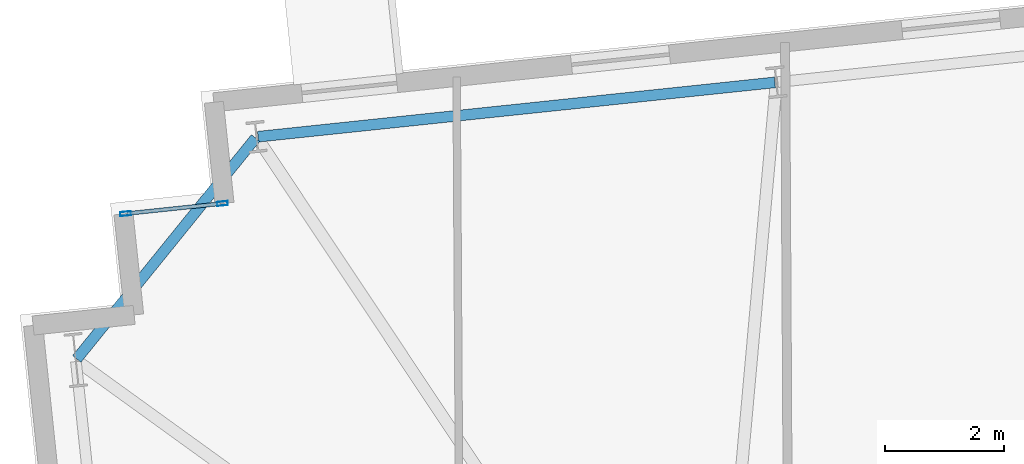
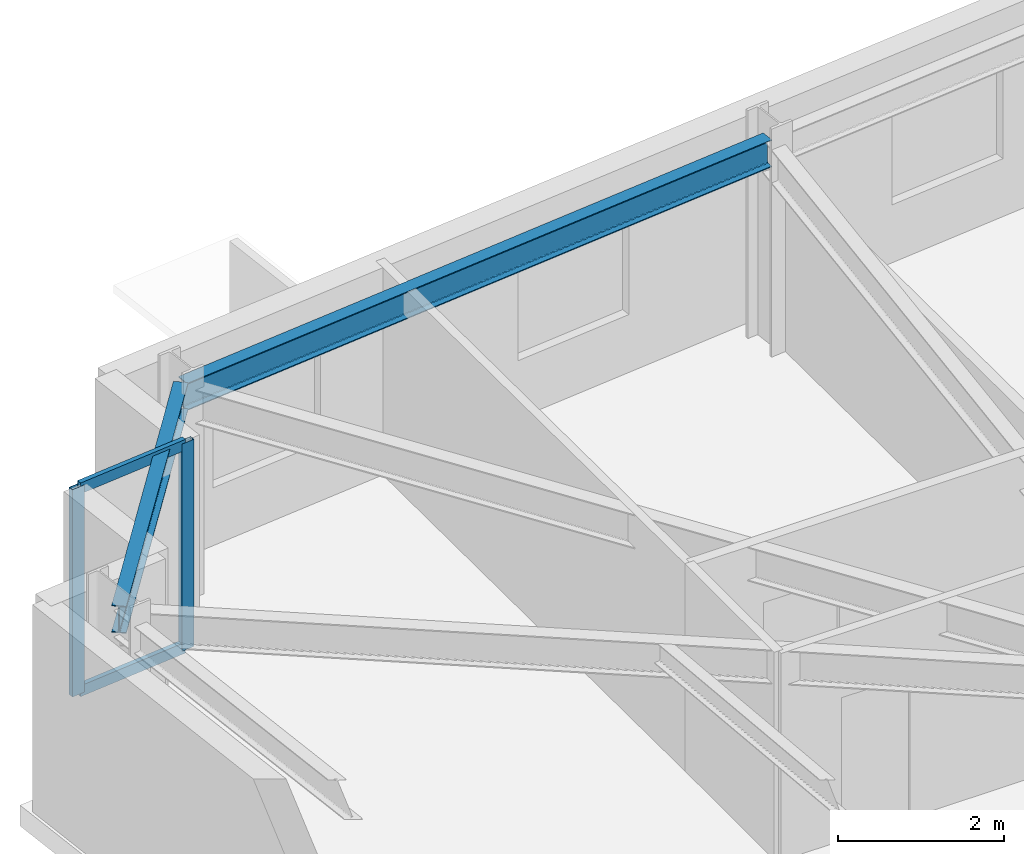
# One storey, part 8 of 17: 4 members, 2 beams, 1 element without a shape of its own.
"""IFC4 building model written with IfcOpenShell, lengths in metres."""

from ifc_helpers import new_model, si_unit, direction, frame, origin, origin_2d, place, context, subcontext, project, spatial, hollow_rectangle, i_section, extrude, material, layer, layer_set, material_profile, profile_set, type_object, element, aggregate, save


model = new_model("IFC4")

# Units and contexts
model_context = context("Model", 3, precision=1e-05, world=origin(), true_north=direction((0.0, 1.0)))
body_context = subcontext(model_context, "Body", "Model", "MODEL_VIEW")
ifc_project = project(units=[si_unit("LENGTHUNIT", "METRE"), si_unit("AREAUNIT", "SQUARE_METRE"), si_unit("VOLUMEUNIT", "CUBIC_METRE"), si_unit("PLANEANGLEUNIT", "RADIAN"), si_unit("MASSUNIT", "GRAM", prefix="KILO")], contexts=[model_context])

# Site, building, storey
site_placement = place(None, origin())
site = spatial("IfcSite", under=ifc_project, at=site_placement, CompositionType="ELEMENT")
building_placement = place(site_placement, origin())
building = spatial("IfcBuilding", under=site, at=building_placement, Name="Qobustan Lattice House", CompositionType="ELEMENT")
storey_placement = place(building_placement, frame((0.0, 0.0, 105.800048828125)))
storey = spatial("IfcBuildingStorey", under=building, at=storey_placement, Name="L29", CompositionType="ELEMENT", Elevation=105.800048828125)

# Beams
ifc_material_1 = material(Name="Steel S355", Category="steel")
ifc_material_profile_1 = material_profile(ifc_material_1, i_section(OverallWidth=0.179931640625, OverallDepth=0.39990234375, WebThickness=0.008544921875, FlangeThickness=0.013427734375, FilletRadius=0.02099609375, at=origin_2d()), Name="IPE400")
ifc_profile_set_1 = profile_set([ifc_material_profile_1], Name="Steel S355")
beam_type = type_object("IfcBeamType", Name="BM-SPD-IPE400", PredefinedType="SPANDREL", material=ifc_profile_set_1)
beam_1_placement = place(storey_placement, frame((-17.7158203125, 17.919189453125, 2.844970703125), z_axis=(-0.994521279781, -0.10453432002, 0.0), x_axis=(0.10453432002, -0.994521279781, 0.0)))
element("IfcBeam", 1, at=beam_1_placement, inside=storey, type_object=beam_type, Name="L29 perimeter spandrel N6-N7", PredefinedType="SPANDREL", context=body_context, shape_type="SweptSolid", body=[
    extrude(i_section(OverallWidth=0.179931640625, OverallDepth=0.39990234375, WebThickness=0.008544921875, FlangeThickness=0.013427734375, FilletRadius=0.02099609375, at=origin_2d()), origin(), (0.0, 0.0, 1.0), 8.69970703125),
])
beam_2_placement = place(storey_placement, frame((-26.40869140625, 16.98779296875, 2.844970703125), z_axis=(-0.629326627121, -0.777140911545, 0.0), x_axis=(0.777140911545, -0.629326627121, 0.0)))
element("IfcBeam", 2, at=beam_2_placement, inside=storey, type_object=beam_type, Name="L29 perimeter spandrel N7-W1", PredefinedType="SPANDREL", context=body_context, shape_type="SweptSolid", body=[
    extrude(i_section(OverallWidth=0.179931640625, OverallDepth=0.39990234375, WebThickness=0.008544921875, FlangeThickness=0.013427734375, FilletRadius=0.02099609375, at=origin_2d()), origin(), (0.0, 0.0, 1.0), 4.758544921875),
])

# Curtain wall, members
ifc_material_2 = material(Name="Anodised aluminium and low-E glazing", Category="aluminium")
ifc_layer = layer(ifc_material_2, 0.219970703125)
ifc_layer_set = layer_set([ifc_layer], Name="Anodised aluminium and low-E glazing")
curtain_wall_type = type_object("IfcCurtainWallType", Name="CW-FAC-01", PredefinedType="USERDEFINED", material=ifc_layer_set)
curtain_wall_placement = place(storey_placement, origin())
curtain_wall = element("IfcCurtainWall", 3, at=curtain_wall_placement, inside=storey, type_object=curtain_wall_type, Name="L29 serrated corner faceted glazing 8", ObjectType="CURTAIN WALL", PredefinedType="USERDEFINED")
ifc_material_3 = material(Name="Anodised aluminium EN AW-6063 T6", Category="aluminium")
ifc_material_profile_2 = material_profile(ifc_material_3, hollow_rectangle(XDim=0.070068359375, YDim=0.179931640625, WallThickness=0.00439453125, at=origin_2d()), Name="CWM-180x70")
ifc_profile_set_2 = profile_set([ifc_material_profile_2], Name="Anodised aluminium EN AW-6063 T6")
member_type_1 = type_object("IfcMemberType", Name="CWM-STD-180", PredefinedType="MULLION", material=ifc_profile_set_2)
member_1_placement = place(storey_placement, frame((-28.58544921875, 15.720947265625, 0.0), z_axis=(0.0, 0.0, 1.0), x_axis=(-0.104528620025, 0.994521878892, 0.0)))
member_1 = element("IfcMember", 4, at=member_1_placement, type_object=member_type_1, Name="CW-F1 mullion 1", PredefinedType="MULLION", context=body_context, shape_type="SweptSolid", body=[
    extrude(hollow_rectangle(XDim=0.070068359375, YDim=0.179931640625, WallThickness=0.00439453125, at=origin_2d()), origin(), (0.0, 0.0, 1.0), 3.044921875),
])
member_2_placement = place(storey_placement, frame((-26.96435546875, 15.891357421875, 0.0), z_axis=(0.0, 0.0, 1.0), x_axis=(-0.104528620025, 0.994521878892, 0.0)))
member_2 = element("IfcMember", 5, at=member_2_placement, type_object=member_type_1, Name="CW-F1 mullion 2", PredefinedType="MULLION", context=body_context, shape_type="SweptSolid", body=[
    extrude(hollow_rectangle(XDim=0.070068359375, YDim=0.179931640625, WallThickness=0.00439453125, at=origin_2d()), origin(), (0.0, 0.0, 1.0), 3.044921875),
])
ifc_material_4 = material(Name="Anodised aluminium EN AW-6063 T6", Category="aluminium")
ifc_material_profile_3 = material_profile(ifc_material_4, hollow_rectangle(XDim=0.06494140625, YDim=0.159912109375, WallThickness=0.00390625, at=origin_2d()), Name="CWT-160x65")
ifc_profile_set_3 = profile_set([ifc_material_profile_3], Name="Anodised aluminium EN AW-6063 T6")
member_type_2 = type_object("IfcMemberType", Name="CWT-HOR-160", PredefinedType="USERDEFINED", material=ifc_profile_set_3)
member_3_placement = place(storey_placement, frame((-28.55078125, 15.724609375, 0.032470703125), z_axis=(0.994520877159, 0.104538150424, 0.0), x_axis=(-0.104538150424, 0.994520877159, 0.0)))
member_3 = element("IfcMember", 6, at=member_3_placement, type_object=member_type_2, Name="CW-F1 transom 1.1", ObjectType="TRANSOM", PredefinedType="USERDEFINED", context=body_context, shape_type="SweptSolid", body=[
    extrude(hollow_rectangle(XDim=0.06494140625, YDim=0.159912109375, WallThickness=0.00390625, at=origin_2d()), origin(), (0.0, 0.0, 1.0), 1.56005859375),
])
member_4_placement = place(storey_placement, frame((-28.55078125, 15.724609375, 3.012451171875), z_axis=(0.994520877159, 0.104538150424, 0.0), x_axis=(-0.104538150424, 0.994520877159, 0.0)))
member_4 = element("IfcMember", 7, at=member_4_placement, type_object=member_type_2, Name="CW-F1 transom 1.2", ObjectType="TRANSOM", PredefinedType="USERDEFINED", context=body_context, shape_type="SweptSolid", body=[
    extrude(hollow_rectangle(XDim=0.06494140625, YDim=0.159912109375, WallThickness=0.00390625, at=origin_2d()), origin(), (0.0, 0.0, 1.0), 1.56005859375),
])
aggregate(curtain_wall, [member_1, member_2, member_3, member_4])

save(model, "model.ifc")
